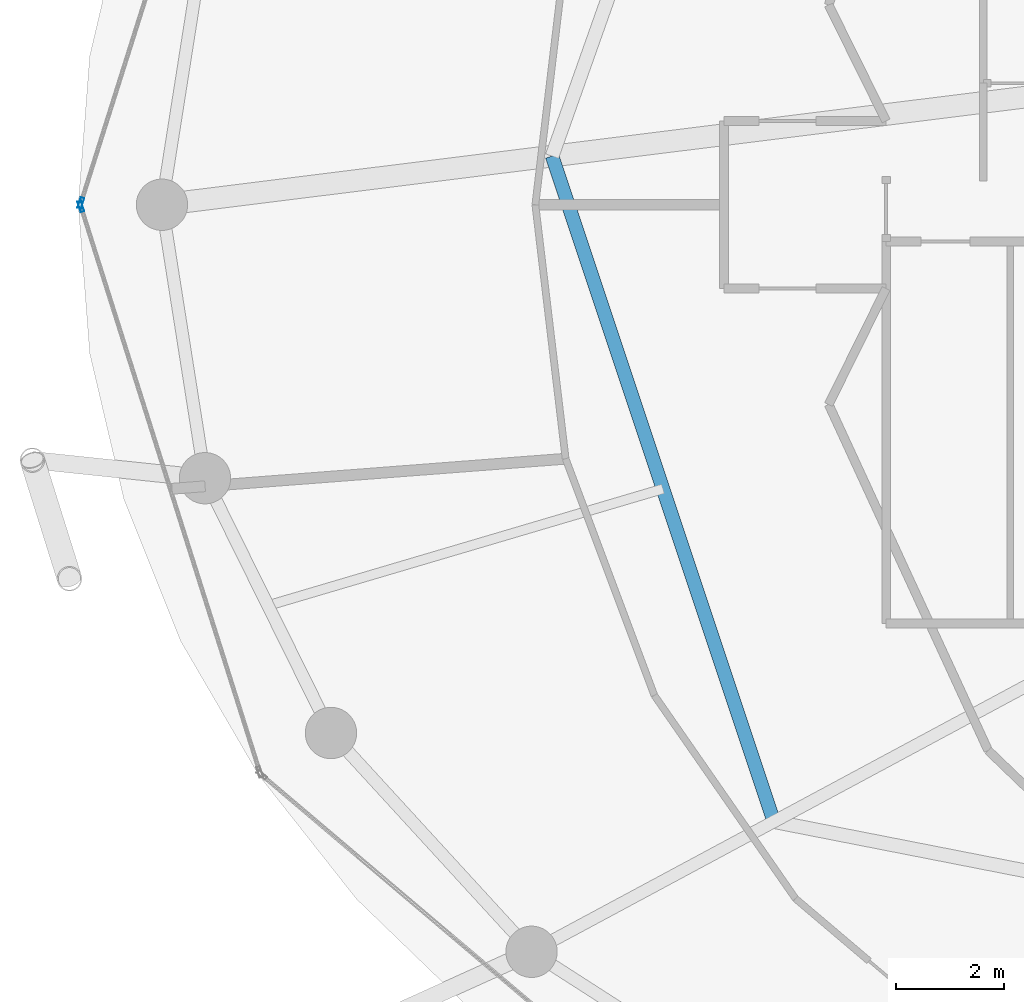
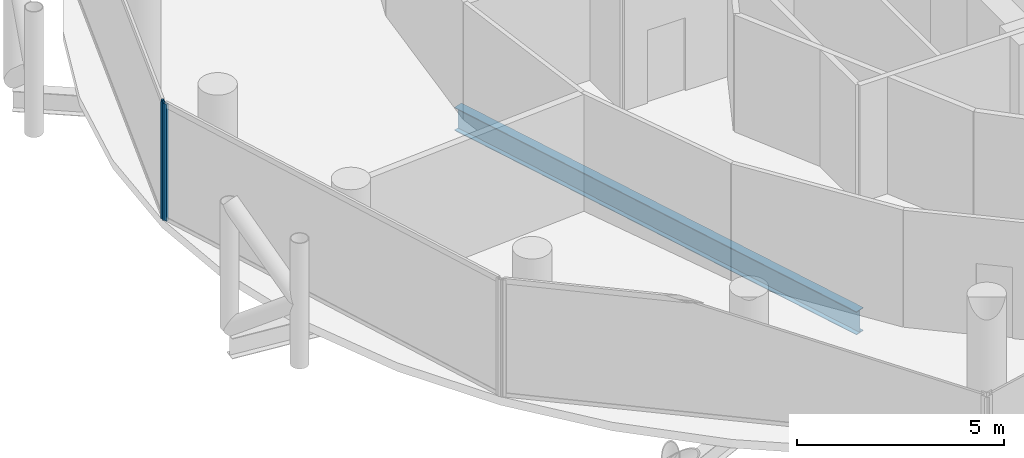
# One storey, part 6 of 26: 2 members, 1 beam, 2 elements without a shape of their own.
"""IFC4 building model written with IfcOpenShell, lengths in metres."""

from ifc_helpers import new_model, si_unit, direction, frame, origin, origin_2d, place, context, subcontext, project, spatial, hollow_rectangle, i_section, extrude, material, layer, layer_set, material_profile, profile_set, type_object, element, aggregate, save


model = new_model("IFC4")

# Units and contexts
model_context = context("Model", 3, precision=1e-05, world=origin(), true_north=direction((0.0, 1.0)))
body_context = subcontext(model_context, "Body", "Model", "MODEL_VIEW")
ifc_project = project(units=[si_unit("LENGTHUNIT", "METRE"), si_unit("AREAUNIT", "SQUARE_METRE"), si_unit("VOLUMEUNIT", "CUBIC_METRE"), si_unit("PLANEANGLEUNIT", "RADIAN"), si_unit("MASSUNIT", "GRAM", prefix="KILO")], contexts=[model_context])

# Site, building, storey
site_placement = place(None, origin())
site = spatial("IfcSite", under=ifc_project, at=site_placement, CompositionType="ELEMENT")
building_placement = place(site_placement, origin())
building = spatial("IfcBuilding", under=site, at=building_placement, Name="Nuhasar Tower", CompositionType="ELEMENT")
storey_placement = place(building_placement, frame((0.0, 0.0, 147.85009765625)))
storey = spatial("IfcBuildingStorey", under=building, at=storey_placement, Name="L35", CompositionType="ELEMENT", Elevation=147.85009765625)

# Beam
ifc_material_1 = material(Name="Steel S355", Category="steel")
ifc_material_profile_1 = material_profile(ifc_material_1, i_section(OverallWidth=0.25390625, OverallDepth=0.68408203125, WebThickness=0.012451171875, FlangeThickness=0.018798828125, at=origin_2d()), Name="W27X94")
ifc_profile_set_1 = profile_set([ifc_material_profile_1], Name="Steel S355")
beam_type = type_object("IfcBeamType", Name="BM-INRING-W27X94", PredefinedType="BEAM", material=ifc_profile_set_1)
beam_placement = place(storey_placement, frame((22.8701171875, 27.699951171875, -0.592041015625), z_axis=(0.31609797573, -0.948726551615, 0.0), x_axis=(0.948726551615, 0.31609797573, 0.0)))
element("IfcBeam", 1, at=beam_placement, inside=storey, type_object=beam_type, Name="L35 Inner Header Beam 08", PredefinedType="BEAM", context=body_context, shape_type="SweptSolid", body=[
    extrude(i_section(OverallWidth=0.25390625, OverallDepth=0.68408203125, WebThickness=0.012451171875, FlangeThickness=0.018798828125, at=origin_2d()), origin(), (0.0, 0.0, 1.0), 12.9794921875),
])

# Curtain wall, member
ifc_material_2 = material(Name="Aluminium 6063-T6", Category="aluminium")
ifc_layer = layer(ifc_material_2, 0.199951171875)
ifc_layer_set = layer_set([ifc_layer], Name="Aluminium 6063-T6")
curtain_wall_type = type_object("IfcCurtainWallType", Name="CW-Z2-HTL", PredefinedType="NOTDEFINED", material=ifc_layer_set)
curtain_wall_1_placement = place(storey_placement, origin())
curtain_wall_1 = element("IfcCurtainWall", 2, at=curtain_wall_1_placement, inside=storey, type_object=curtain_wall_type, Name="L35 Unitised Curtain Wall 06", PredefinedType="NOTDEFINED")
ifc_material_profile_2 = material_profile(ifc_material_2, hollow_rectangle(XDim=0.070068359375, YDim=0.199951171875, WallThickness=0.0048828125, at=origin_2d()), Name="CWM-3")
ifc_profile_set_2 = profile_set([ifc_material_profile_2], Name="Aluminium 6063-T6")
member_type = type_object("IfcMemberType", Name="CW-MUL-S3", PredefinedType="MULLION", material=ifc_profile_set_2)
member_1_placement = place(storey_placement, frame((14.150634765625, 26.833251953125, 0.0), z_axis=(0.0, 0.0, 1.0), x_axis=(0.953433389233, -0.301603667577, 0.0)))
member_1 = element("IfcMember", 3, at=member_1_placement, type_object=member_type, Name="CW-Z2 mullion 2", PredefinedType="MULLION", context=body_context, shape_type="SweptSolid", body=[
    extrude(hollow_rectangle(XDim=0.070068359375, YDim=0.199951171875, WallThickness=0.0048828125, at=origin_2d()), origin(), (0.0, 0.0, 1.0), 3.449951171875),
])
aggregate(curtain_wall_1, [member_1])

curtain_wall_2_placement = place(storey_placement, origin())
curtain_wall_2 = element("IfcCurtainWall", 4, at=curtain_wall_2_placement, inside=storey, type_object=curtain_wall_type, Name="L35 Unitised Curtain Wall 07", PredefinedType="NOTDEFINED")
member_2_placement = place(storey_placement, frame((14.150634765625, 26.7666015625, 0.0), z_axis=(0.0, 0.0, 1.0), x_axis=(0.953433389233, 0.301603667577, 0.0)))
member_2 = element("IfcMember", 5, at=member_2_placement, type_object=member_type, Name="CW-Z2 mullion 1", PredefinedType="MULLION", context=body_context, shape_type="SweptSolid", body=[
    extrude(hollow_rectangle(XDim=0.070068359375, YDim=0.199951171875, WallThickness=0.0048828125, at=origin_2d()), origin(), (0.0, 0.0, 1.0), 3.449951171875),
])
aggregate(curtain_wall_2, [member_2])

save(model, "model.ifc")
